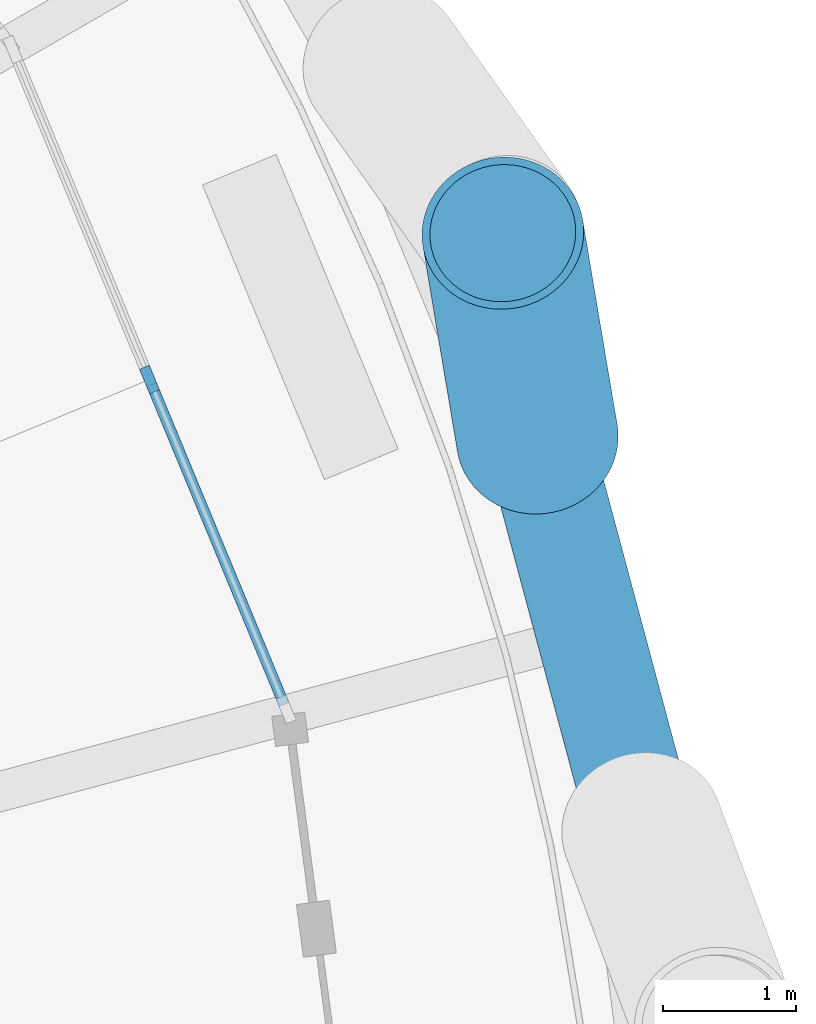
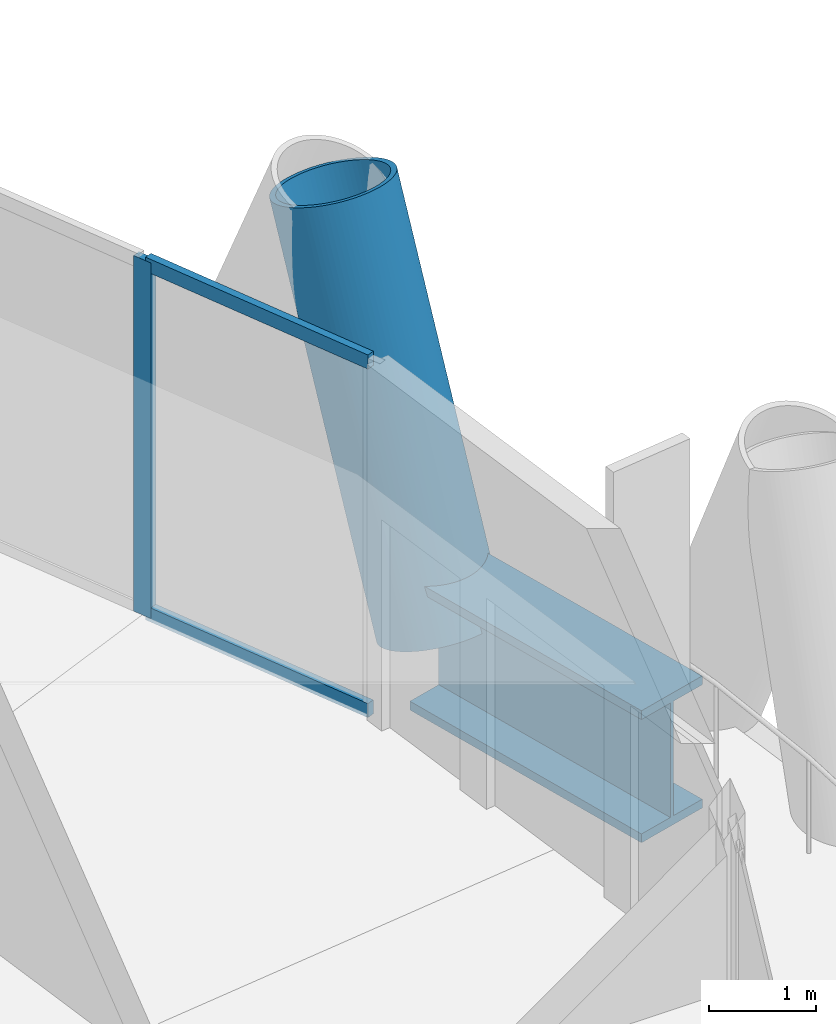
# One storey, part 5 of 15: 4 members, 1 beam, 1 element without a shape of its own.
"""IFC4 building model written with IfcOpenShell, lengths in metres."""

from ifc_helpers import new_model, si_unit, direction, frame, origin, origin_2d, place, context, subcontext, project, spatial, rectangle, hollow_circle, i_section, extrude, material, material_profile, profile_set, type_object, element, aggregate, save


model = new_model("IFC4")

# Units and contexts
model_context = context("Model", 3, precision=1e-05, world=origin(), true_north=direction((0.0, 1.0)))
body_context = subcontext(model_context, "Body", "Model", "MODEL_VIEW")
ifc_project = project(units=[si_unit("LENGTHUNIT", "METRE"), si_unit("AREAUNIT", "SQUARE_METRE"), si_unit("VOLUMEUNIT", "CUBIC_METRE"), si_unit("PLANEANGLEUNIT", "RADIAN"), si_unit("MASSUNIT", "GRAM", prefix="KILO")], contexts=[model_context])

# Site, building, storey
site_placement = place(None, origin())
site = spatial("IfcSite", under=ifc_project, at=site_placement, CompositionType="ELEMENT")
building_placement = place(site_placement, origin())
building = spatial("IfcBuilding", under=site, at=building_placement, Name="Qaws Media Tower", CompositionType="ELEMENT")
storey_placement = place(building_placement, frame((0.0, 0.0, 30.199951171875)))
storey = spatial("IfcBuildingStorey", under=building, at=storey_placement, Name="L05", CompositionType="ELEMENT", Elevation=30.199951171875)

# Curtain wall, members
ifc_material_1 = material(Name="Aluminium and clear glass", Category="aluminium")
curtain_wall_type = type_object("IfcCurtainWallType", Name="Unitised curtain wall CW-A", PredefinedType="NOTDEFINED", material=ifc_material_1)
curtain_wall_placement = place(storey_placement, origin())
curtain_wall = element("IfcCurtainWall", 1, at=curtain_wall_placement, inside=storey, type_object=curtain_wall_type, Name="CWA curtain wall L05-02", PredefinedType="NOTDEFINED")
ifc_material_2 = material(Name="Aluminium mullion", Category="aluminium")
ifc_material_profile_1 = material_profile(ifc_material_2, rectangle(XDim=0.080078125, YDim=0.199951171875, at=origin_2d()), Name="80x200")
ifc_profile_set_1 = profile_set([ifc_material_profile_1], Name="Aluminium mullion")
member_type_1 = type_object("IfcMemberType", Name="Curtain wall mullion 80x200", PredefinedType="MULLION", material=ifc_profile_set_1)
member_1_placement = place(storey_placement, frame((79.143798828125, 57.9296875, 0.0), z_axis=(0.0, 0.0, 1.0), x_axis=(-0.92387952266, -0.382683456149, 0.0)))
member_1 = element("IfcMember", 2, at=member_1_placement, type_object=member_type_1, Name="CWA mullion 2", PredefinedType="MULLION", context=body_context, shape_type="SweptSolid", body=[
    extrude(rectangle(XDim=0.080078125, YDim=0.199951171875, at=origin_2d()), origin(), (0.0, 0.0, 1.0), 4.0400390625),
])
ifc_material_3 = material(Name="Aluminium transom", Category="aluminium")
ifc_material_profile_2 = material_profile(ifc_material_3, rectangle(XDim=0.080078125, YDim=0.159912109375, at=origin_2d()), Name="80x160")
ifc_profile_set_2 = profile_set([ifc_material_profile_2], Name="Aluminium transom")
member_type_2 = type_object("IfcMemberType", Name="Curtain wall transom 80x160", PredefinedType="USERDEFINED", material=ifc_profile_set_2)
member_2_placement = place(storey_placement, frame((80.1572265625, 55.483154296875, 0.0400390625), z_axis=(-0.382660432893, 0.923889058869, 0.0), x_axis=(-0.923889058869, -0.382660432893, 0.0)))
member_2 = element("IfcMember", 3, at=member_2_placement, type_object=member_type_2, Name="CWA transom 1.1", ObjectType="TRANSOM", PredefinedType="USERDEFINED", context=body_context, shape_type="SweptSolid", body=[
    extrude(rectangle(XDim=0.080078125, YDim=0.159912109375, at=origin_2d()), origin(), (0.0, 0.0, 1.0), 2.608154296875),
])
member_3_placement = place(storey_placement, frame((80.1572265625, 55.483154296875, 4.0), z_axis=(-0.382660432893, 0.923889058869, 0.0), x_axis=(-0.923889058869, -0.382660432893, 0.0)))
member_3 = element("IfcMember", 4, at=member_3_placement, type_object=member_type_2, Name="CWA transom 1.2", ObjectType="TRANSOM", PredefinedType="USERDEFINED", context=body_context, shape_type="SweptSolid", body=[
    extrude(rectangle(XDim=0.080078125, YDim=0.159912109375, at=origin_2d()), origin(), (0.0, 0.0, 1.0), 2.608154296875),
])
aggregate(curtain_wall, [member_1, member_2, member_3])

# Member
ifc_material_4 = material(Name="Steel S460", Category="steel")
ifc_material_profile_3 = material_profile(ifc_material_4, hollow_circle(Radius=0.609619140625, WallThickness=0.06005859375, at=origin_2d()), Name="CHS 1219x60")
ifc_profile_set_3 = profile_set([ifc_material_profile_3], Name="Steel S460")
member_type_3 = type_object("IfcMemberType", Name="Diagrid member CHS 1219x60", PredefinedType="USERDEFINED", material=ifc_profile_set_3)
member_4_placement = place(storey_placement, frame((82.0634765625, 57.489501953125, -0.909912109375), z_axis=(-0.058017977607, 0.34402209257, 0.937167388516), x_axis=(-0.986075579143, -0.166297781756, 0.0)))
element("IfcMember", 5, at=member_4_placement, inside=storey, type_object=member_type_3, Name="DG1 diagrid L05 A02", ObjectType="DIAGRID", PredefinedType="USERDEFINED", context=body_context, shape_type="SweptSolid", body=[
    extrude(hollow_circle(Radius=0.609619140625, WallThickness=0.06005859375, at=origin_2d()), origin(), (0.0, 0.0, 1.0), 4.4814453125),
])

# Beam
ifc_material_5 = material(Name="Steel S460", Category="steel")
ifc_material_profile_4 = material_profile(ifc_material_5, i_section(OverallWidth=0.800048828125, OverallDepth=1.5, WebThickness=0.0400390625, FlangeThickness=0.10009765625, at=origin_2d()), Name="PG 1500x800")
ifc_profile_set_4 = profile_set([ifc_material_profile_4], Name="Steel S460")
beam_type = type_object("IfcBeamType", Name="Edge ring beam PG 1500x800", PredefinedType="BEAM", material=ifc_profile_set_4)
beam_placement = place(storey_placement, frame((82.852294921875, 54.545654296875, -0.909912109375), z_axis=(-0.258824175106, 0.965924451694, 0.0), x_axis=(-0.965924451694, -0.258824175106, 0.0)))
element("IfcBeam", 6, at=beam_placement, inside=storey, type_object=beam_type, Name="RB7 edge ring beam L05-02", PredefinedType="BEAM", context=body_context, shape_type="SweptSolid", body=[
    extrude(i_section(OverallWidth=0.800048828125, OverallDepth=1.5, WebThickness=0.0400390625, FlangeThickness=0.10009765625, at=origin_2d()), origin(), (0.0, 0.0, 1.0), 3.047607421875),
])

save(model, "model.ifc")
